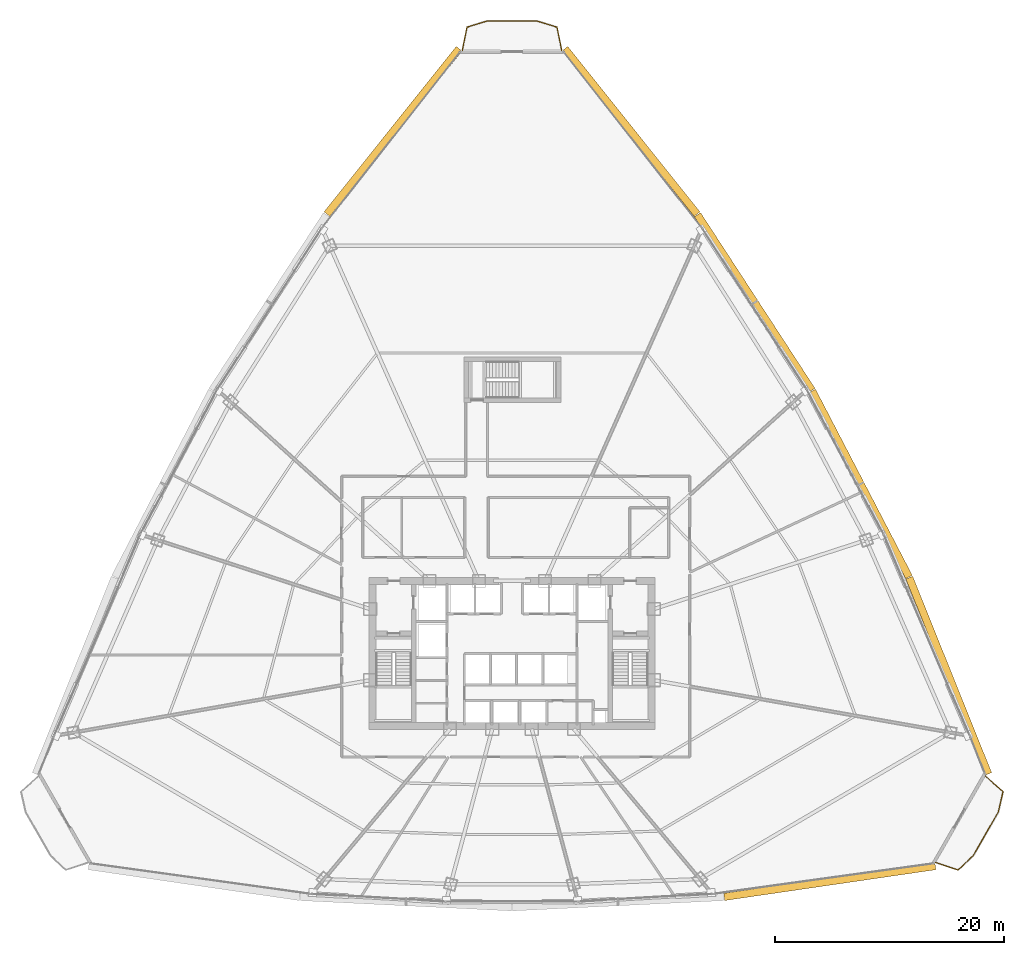
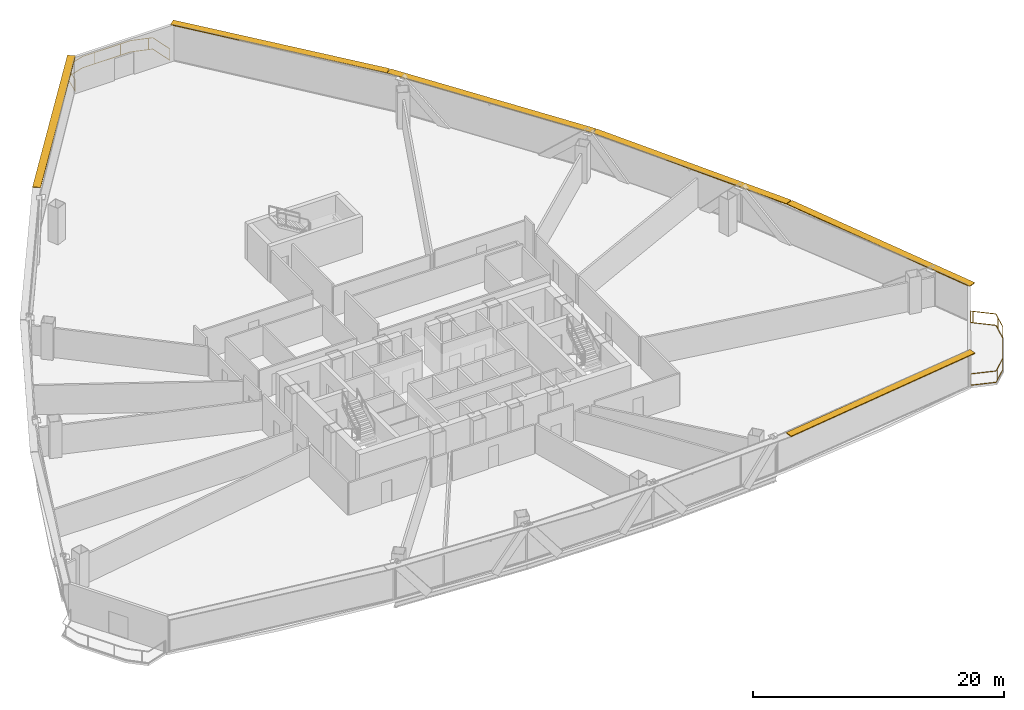
# One storey, part 36 of 36: 6 shading devices, 2 railings.
"""IFC4 building model written with IfcOpenShell, lengths in metres."""

from ifc_helpers import new_model, si_unit, direction, frame, origin, origin_2d, place, context, subcontext, project, spatial, rectangle, extrude, source, transform, mapped, material, layer, layer_set, type_object, element, save


model = new_model("IFC4")

# Units and contexts
model_context = context("Model", 3, precision=1e-05, world=origin(), true_north=direction((0.0, 1.0)))
body_context = subcontext(model_context, "Body", "Model", "MODEL_VIEW")
ifc_project = project(units=[si_unit("LENGTHUNIT", "METRE"), si_unit("AREAUNIT", "SQUARE_METRE"), si_unit("VOLUMEUNIT", "CUBIC_METRE"), si_unit("PLANEANGLEUNIT", "RADIAN"), si_unit("MASSUNIT", "GRAM", prefix="KILO"), si_unit("THERMODYNAMICTEMPERATUREUNIT", "KELVIN"), si_unit("POWERUNIT", "WATT")], contexts=[model_context])

# Site, building, storey
site_placement = place(None, origin())
site = spatial("IfcSite", under=ifc_project, at=site_placement, CompositionType="ELEMENT")
building_placement = place(site_placement, origin())
building = spatial("IfcBuilding", under=site, at=building_placement, Name="Yunzhuo Pagoda Commons", CompositionType="ELEMENT")
storey_placement = place(building_placement, frame((0.0, 0.0, 107.780029296875)))
storey = spatial("IfcBuildingStorey", under=building, at=storey_placement, Name="L27", CompositionType="ELEMENT", Elevation=107.780029296875)

# Railings
ifc_material = material(Name="Anodized aluminium 6063-T6", Category="aluminium")
railing_type = type_object("IfcRailingType", Name="RL-BAL1 Exterior Terrace & Balcony Balustrade 1150", PredefinedType="BALUSTRADE", material=ifc_material)
railing_1_placement = place(storey_placement, frame((85.062744140625, 15.5625, 0.0)))
element("IfcRailing", 1, at=railing_1_placement, inside=storey, type_object=railing_type, Name="L27 corner balcony balustrade V2", PredefinedType="BALUSTRADE", context=body_context, shape_type="SweptSolid", body=[
    extrude(rectangle(XDim=0.048095703125, YDim=0.048095703125, at=origin_2d()), frame((0.0, 0.0, 1.1259765625), z_axis=(0.947431200383, -0.31995956079, 0.0), x_axis=(0.31995956079, 0.947431200383, 0.0)), (0.0, 0.0, 1.0), 2.059326171875),
    extrude(rectangle(XDim=0.048095703125, YDim=0.048095703125, at=origin_2d()), frame((0.0, 0.0, 0.02392578125), z_axis=(0.947431200383, -0.31995956079, 0.0), x_axis=(0.31995956079, 0.947431200383, 0.0)), (0.0, 0.0, 1.0), 2.059326171875),
    extrude(rectangle(XDim=0.048095703125, YDim=0.048095703125, at=origin_2d()), frame((1.951171875, -0.658935546875, 1.1259765625), z_axis=(0.728904896871, 0.684614965741, 0.0), x_axis=(-0.684614965741, 0.728904896871, 0.0)), (0.0, 0.0, 1.0), 1.819091796875),
    extrude(rectangle(XDim=0.048095703125, YDim=0.048095703125, at=origin_2d()), frame((1.951171875, -0.658935546875, 0.02392578125), z_axis=(0.728904896871, 0.684614965741, 0.0), x_axis=(-0.684614965741, 0.728904896871, 0.0)), (0.0, 0.0, 1.0), 1.819091796875),
    extrude(rectangle(XDim=0.048095703125, YDim=0.048095703125, at=origin_2d()), frame((3.277099609375, 0.58642578125, 1.1259765625), z_axis=(0.497955580722, 0.867202536682, 0.0), x_axis=(-0.867202536682, 0.497955580722, 0.0)), (0.0, 0.0, 1.0), 4.4404296875),
    extrude(rectangle(XDim=0.048095703125, YDim=0.048095703125, at=origin_2d()), frame((3.277099609375, 0.58642578125, 0.02392578125), z_axis=(0.497955580722, 0.867202536682, 0.0), x_axis=(-0.867202536682, 0.497955580722, 0.0)), (0.0, 0.0, 1.0), 4.4404296875),
    extrude(rectangle(XDim=0.048095703125, YDim=0.048095703125, at=origin_2d()), frame((5.48828125, 4.437255859375, 1.1259765625), z_axis=(0.223732122611, 0.974650674505, 0.0), x_axis=(-0.974650674505, 0.223732122611, 0.0)), (0.0, 0.0, 1.0), 1.819091796875),
    extrude(rectangle(XDim=0.048095703125, YDim=0.048095703125, at=origin_2d()), frame((5.48828125, 4.437255859375, 0.02392578125), z_axis=(0.223732122611, 0.974650674505, 0.0), x_axis=(-0.974650674505, 0.223732122611, 0.0)), (0.0, 0.0, 1.0), 1.819091796875),
    extrude(rectangle(XDim=0.048095703125, YDim=0.048095703125, at=origin_2d()), frame((5.895263671875, 6.210205078125, 1.1259765625), z_axis=(-0.753984993137, 0.656891642605, 0.0), x_axis=(-0.656891642605, -0.753984993137, 0.0)), (0.0, 0.0, 1.0), 2.059326171875),
    extrude(rectangle(XDim=0.048095703125, YDim=0.048095703125, at=origin_2d()), frame((5.895263671875, 6.210205078125, 0.02392578125), z_axis=(-0.753984993137, 0.656891642605, 0.0), x_axis=(-0.656891642605, -0.753984993137, 0.0)), (0.0, 0.0, 1.0), 2.059326171875),
    extrude(rectangle(XDim=0.0419921875, YDim=0.0419921875, at=origin_2d()), origin(), (0.0, 0.0, 1.0), 1.101806640625),
    extrude(rectangle(XDim=0.0419921875, YDim=0.0419921875, at=origin_2d()), frame((2.199462890625, -0.42578125, 0.0)), (0.0, 0.0, 1.0), 1.101806640625),
    extrude(rectangle(XDim=0.0419921875, YDim=0.0419921875, at=origin_2d()), frame((3.736083984375, 1.385498046875, 0.0)), (0.0, 0.0, 1.0), 1.101806640625),
    extrude(rectangle(XDim=0.0419921875, YDim=0.0419921875, at=origin_2d()), frame((4.93115234375, 3.466796875, 0.0)), (0.0, 0.0, 1.0), 1.101806640625),
    extrude(rectangle(XDim=0.0419921875, YDim=0.0419921875, at=origin_2d()), frame((5.77490234375, 5.685791015625, 0.0)), (0.0, 0.0, 1.0), 1.101806640625),
    extrude(rectangle(XDim=0.0419921875, YDim=0.0419921875, at=origin_2d()), frame((4.491455078125, 7.433349609375, 0.0)), (0.0, 0.0, 1.0), 1.101806640625),
    extrude(rectangle(XDim=0.0419921875, YDim=0.0419921875, at=origin_2d()), frame((4.342529296875, 7.56298828125, 0.0)), (0.0, 0.0, 1.0), 1.101806640625),
])
railing_2_placement = place(storey_placement, frame((52.342041015625, 86.619140625, 0.0)))
element("IfcRailing", 2, at=railing_2_placement, inside=storey, type_object=railing_type, Name="L27 corner balcony balustrade V3", PredefinedType="BALUSTRADE", context=body_context, shape_type="SweptSolid", body=[
    extrude(rectangle(XDim=0.048095703125, YDim=0.048095703125, at=origin_2d()), frame((0.0, 0.0, 1.1259765625), z_axis=(-0.194200568098, 0.980961843983, 0.0), x_axis=(-0.980961843983, -0.194200568098, 0.0)), (0.0, 0.0, 1.0), 2.059326171875),
    extrude(rectangle(XDim=0.048095703125, YDim=0.048095703125, at=origin_2d()), frame((0.0, 0.0, 0.02392578125), z_axis=(-0.194200568098, 0.980961843983, 0.0), x_axis=(-0.980961843983, -0.194200568098, 0.0)), (0.0, 0.0, 1.0), 2.059326171875),
    extrude(rectangle(XDim=0.048095703125, YDim=0.048095703125, at=origin_2d()), frame((-0.39990234375, 2.02001953125, 1.1259765625), z_axis=(-0.956177612532, 0.292787249197, 0.0), x_axis=(-0.292787249197, -0.956177612532, 0.0)), (0.0, 0.0, 1.0), 1.810302734375),
    extrude(rectangle(XDim=0.048095703125, YDim=0.048095703125, at=origin_2d()), frame((-0.39990234375, 2.02001953125, 0.02392578125), z_axis=(-0.956177612532, 0.292787249197, 0.0), x_axis=(-0.292787249197, -0.956177612532, 0.0)), (0.0, 0.0, 1.0), 1.810302734375),
    extrude(rectangle(XDim=0.048095703125, YDim=0.048095703125, at=origin_2d()), frame((-2.130859375, 2.550048828125, 1.1259765625), z_axis=(-1.0, 0.0, 0.0), x_axis=(0.0, -1.0, 0.0)), (0.0, 0.0, 1.0), 4.42236328125),
    extrude(rectangle(XDim=0.048095703125, YDim=0.048095703125, at=origin_2d()), frame((-2.130859375, 2.550048828125, 0.02392578125), z_axis=(-1.0, 0.0, 0.0), x_axis=(0.0, -1.0, 0.0)), (0.0, 0.0, 1.0), 4.42236328125),
    extrude(rectangle(XDim=0.048095703125, YDim=0.048095703125, at=origin_2d()), frame((-6.55322265625, 2.550048828125, 1.1259765625), z_axis=(-0.956177612532, -0.292787249197, 0.0), x_axis=(0.292787249197, -0.956177612532, 0.0)), (0.0, 0.0, 1.0), 1.810302734375),
    extrude(rectangle(XDim=0.048095703125, YDim=0.048095703125, at=origin_2d()), frame((-6.55322265625, 2.550048828125, 0.02392578125), z_axis=(-0.956177612532, -0.292787249197, 0.0), x_axis=(0.292787249197, -0.956177612532, 0.0)), (0.0, 0.0, 1.0), 1.810302734375),
    extrude(rectangle(XDim=0.048095703125, YDim=0.048095703125, at=origin_2d()), frame((-8.2841796875, 2.02001953125, 1.1259765625), z_axis=(-0.194200568098, -0.980961843983, 0.0), x_axis=(0.980961843983, -0.194200568098, 0.0)), (0.0, 0.0, 1.0), 2.059326171875),
    extrude(rectangle(XDim=0.048095703125, YDim=0.048095703125, at=origin_2d()), frame((-8.2841796875, 2.02001953125, 0.02392578125), z_axis=(-0.194200568098, -0.980961843983, 0.0), x_axis=(0.980961843983, -0.194200568098, 0.0)), (0.0, 0.0, 1.0), 2.059326171875),
    extrude(rectangle(XDim=0.0419921875, YDim=0.0419921875, at=origin_2d()), origin(), (0.0, 0.0, 1.0), 1.101806640625),
    extrude(rectangle(XDim=0.0419921875, YDim=0.0419921875, at=origin_2d()), frame((-0.725830078125, 2.119873046875, 0.0)), (0.0, 0.0, 1.0), 1.101806640625),
    extrude(rectangle(XDim=0.0419921875, YDim=0.0419921875, at=origin_2d()), frame((-3.061279296875, 2.550048828125, 0.0)), (0.0, 0.0, 1.0), 1.101806640625),
    extrude(rectangle(XDim=0.0419921875, YDim=0.0419921875, at=origin_2d()), frame((-5.46142578125, 2.550048828125, 0.0)), (0.0, 0.0, 1.0), 1.101806640625),
    extrude(rectangle(XDim=0.0419921875, YDim=0.0419921875, at=origin_2d()), frame((-7.803955078125, 2.1669921875, 0.0)), (0.0, 0.0, 1.0), 1.101806640625),
    extrude(rectangle(XDim=0.0419921875, YDim=0.0419921875, at=origin_2d()), frame((-8.65283203125, 0.158203125, 0.0)), (0.0, 0.0, 1.0), 1.101806640625),
    extrude(rectangle(XDim=0.0419921875, YDim=0.0419921875, at=origin_2d()), frame((-8.68408203125, 0.0, 0.0)), (0.0, 0.0, 1.0), 1.101806640625),
])

# Shading devices
ifc_layer = layer(ifc_material, 0.080078125)
ifc_layer_set = layer_set([ifc_layer], Name="Anodized aluminium 6063-T6")
shading_device_type = type_object("IfcShadingDeviceType", Name="SH-SUN1 Pagoda Horizontal Sunshade Eave 650", PredefinedType="USERDEFINED", material=ifc_layer_set)
shared_shape_1 = source(origin(), body_context, "Body", "SweptSolid", [
    extrude(rectangle(XDim=18.667724609375, YDim=0.64990234375, at=origin_2d()), origin(), (0.0, 0.0, 1.0), 0.080078125),
])
shading_device_1_placement = place(storey_placement, frame((75.802001953125, 13.904541015625, 3.4599609375), z_axis=(0.0, 0.0, 1.0), x_axis=(0.989510666697, 0.144459823108, 0.0)))
element("IfcShadingDevice", 3, at=shading_device_1_placement, inside=storey, type_object=shading_device_type, Name="L27 horizontal pagoda sunshade eave F1.4", ObjectType="SUNSHADE", PredefinedType="USERDEFINED", context=body_context, shape_type="MappedRepresentation", body=[
    mapped(shared_shape_1, transform((0.0, 0.0, 0.0), scale=1.0)),
])
shared_shape_2 = source(origin(), body_context, "Body", "SweptSolid", [
    extrude(rectangle(XDim=18.517578125, YDim=0.64990234375, at=origin_2d()), origin(), (0.0, 0.0, 1.0), 0.080078125),
])
for number, where, z_axis, x_axis, name in (
    (4, (86.206787109375, 31.8935546875, 3.4599609375), (0.0, 0.0, 1.0), (-0.372987782576, 0.927836253899, 0.0), "L27 horizontal pagoda sunshade eave F2.1"),
    (5, (58.404296875, 79.522216796875, 3.4599609375), (0.0, 0.0, 1.0), (-0.624520471688, 0.781008438138, 0.0), "L27 horizontal pagoda sunshade eave F2.4"),
    (6, (37.595703125, 79.522216796875, 3.4599609375), (0.0, 0.0, 1.0), (-0.624520471688, -0.781008438138, 0.0), "L27 horizontal pagoda sunshade eave F3.1"),
):
    element("IfcShadingDevice", number, at=place(storey_placement, frame(where, z_axis=z_axis, x_axis=x_axis)), inside=storey, type_object=shading_device_type, Name=name, ObjectType="SUNSHADE", PredefinedType="USERDEFINED", context=body_context, shape_type="MappedRepresentation", body=[
        mapped(shared_shape_2, transform((0.0, 0.0, 0.0), scale=1.0)),
    ])
shared_shape_3 = source(origin(), body_context, "Body", "SweptSolid", [
    extrude(rectangle(XDim=18.341796875, YDim=0.64990234375, at=origin_2d()), origin(), (0.0, 0.0, 1.0), 0.080078125),
])
shading_device_2_placement = place(storey_placement, frame((78.497314453125, 48.678955078125, 3.4599609375), z_axis=(0.0, 0.0, 1.0), x_axis=(-0.461206683033, 0.88729273384, 0.0)))
element("IfcShadingDevice", 7, at=shading_device_2_placement, inside=storey, type_object=shading_device_type, Name="L27 horizontal pagoda sunshade eave F2.2", ObjectType="SUNSHADE", PredefinedType="USERDEFINED", context=body_context, shape_type="MappedRepresentation", body=[
    mapped(shared_shape_3, transform((0.0, 0.0, 0.0), scale=1.0)),
])
shared_shape_4 = source(origin(), body_context, "Body", "SweptSolid", [
    extrude(rectangle(XDim=18.342041015625, YDim=0.64990234375, at=origin_2d()), origin(), (0.0, 0.0, 1.0), 0.080078125),
])
shading_device_3_placement = place(storey_placement, frame((69.2294921875, 64.555419921875, 3.4599609375), z_axis=(0.0, 0.0, 1.0), x_axis=(-0.545838756973, 0.837890238269, 0.0)))
element("IfcShadingDevice", 8, at=shading_device_3_placement, inside=storey, type_object=shading_device_type, Name="L27 horizontal pagoda sunshade eave F2.3", ObjectType="SUNSHADE", PredefinedType="USERDEFINED", context=body_context, shape_type="MappedRepresentation", body=[
    mapped(shared_shape_4, transform((0.0, 0.0, 0.0), scale=1.0)),
])

save(model, "model.ifc")
